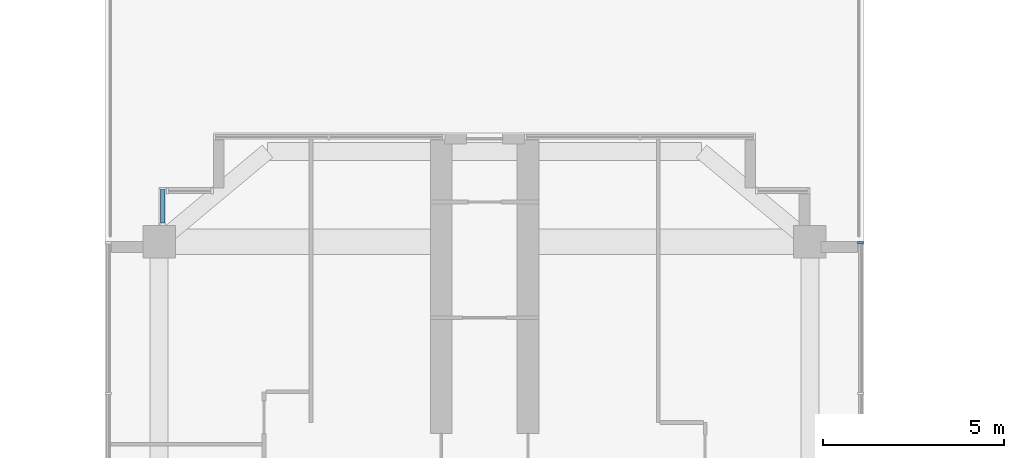
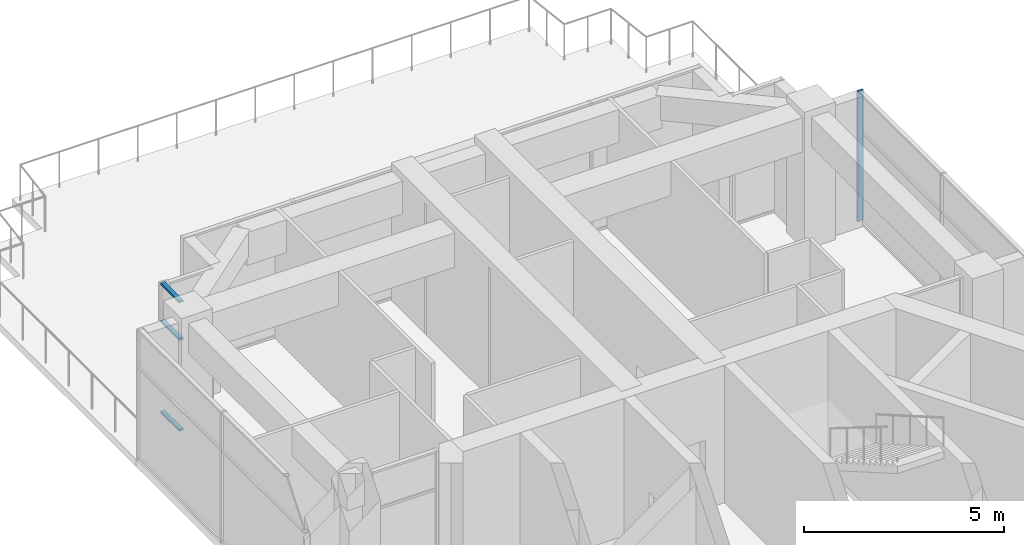
# One storey, part 7 of 15: 4 members, 2 elements without a shape of their own.
"""IFC4 building model written with IfcOpenShell, lengths in metres."""

import ifcopenshell
import ifcopenshell.guid

model = None  # the IFC model being written
_history = None  # IfcOwnerHistory: only IFC2X3 demands one
_inside = {}  # id of a spatial element -> (the spatial element, [elements in it])
_under = {}  # id of a project, library or spatial element -> (it, [spatial elements below it])
_declared = {}  # id of a project -> (the project, [libraries it declares])
_typed = {}  # id of a type object -> (the type object, [elements of that type])
_made_of = {}  # id of a material, layer set ... -> (it, [elements and type objects made of it])


def new_model(schema):
    """Start an empty IFC model of exactly this schema.

    Asked for "IFC4X3", IfcOpenShell would pick the latest addendum, in which some entities
    have other attributes; the version numbers below select the first issue.
    IFC2X3 requires an IfcOwnerHistory on every rooted entity: one is made here for all.
    """
    global model, _history
    if schema == "IFC4X3":
        model = ifcopenshell.file(schema_version=(4, 3, 0, 0))
    else:
        model = ifcopenshell.file(schema=schema)
    _inside.clear()
    _under.clear()
    _declared.clear()
    _typed.clear()
    _made_of.clear()
    _history = None
    if model.schema == "IFC2X3":
        org = make("IfcOrganization", Name="unknown")
        user = make(
            "IfcPersonAndOrganization",
            ThePerson=make("IfcPerson", FamilyName="unknown"),
            TheOrganization=org,
        )
        app = make(
            "IfcApplication",
            ApplicationDeveloper=org,
            Version="unknown",
            ApplicationFullName="unknown",
            ApplicationIdentifier="unknown",
        )
        _history = make(
            "IfcOwnerHistory",
            OwningUser=user,
            OwningApplication=app,
            ChangeAction="ADDED",
            CreationDate=0,
        )
    return model


def make(cls, **values):
    """One entity of the class cls with the attributes given. An attribute that is None is left unset."""
    return model.create_entity(
        cls, **{name: value for name, value in values.items() if value is not None}
    )


def rooted(cls, **values):
    """An entity with a GlobalId (a new one), such as an element, a storey or a relation."""
    return make(cls, GlobalId=ifcopenshell.guid.new(), OwnerHistory=_history, **values)


def si_unit(unit_type, name, prefix=None):
    """IfcSIUnit, for example si_unit("LENGTHUNIT", "METRE", prefix="MILLI")."""
    return make("IfcSIUnit", UnitType=unit_type, Prefix=prefix, Name=name)


def assignment(units):
    """IfcUnitAssignment: the units of a project."""
    return None if units is None else make("IfcUnitAssignment", Units=units)


def point(xyz):
    """IfcCartesianPoint."""
    return None if xyz is None else make("IfcCartesianPoint", Coordinates=xyz)


def direction(xyz):
    """IfcDirection."""
    return None if xyz is None else make("IfcDirection", DirectionRatios=xyz)


def frame(location, z_axis=None, x_axis=None):
    """IfcAxis2Placement3D, a coordinate frame: its origin and axes. An axis left out is left unset."""
    return make(
        "IfcAxis2Placement3D",
        Location=point(location),
        Axis=direction(z_axis),
        RefDirection=direction(x_axis),
    )


def frame_2d(location, x_axis=None):
    """IfcAxis2Placement2D, a coordinate frame in the plane: its origin and x axis."""
    return make(
        "IfcAxis2Placement2D", Location=point(location), RefDirection=direction(x_axis)
    )


def origin():
    """The frame at (0, 0, 0) with its axes left unset."""
    return frame((0.0, 0.0, 0.0))


def origin_2d():
    """The frame at (0, 0) in the plane with its x axis left unset."""
    return frame_2d((0.0, 0.0))


def place(relative_to, where):
    """IfcLocalPlacement: puts the frame where relative to a parent placement (None: the world)."""
    return make(
        "IfcLocalPlacement", PlacementRelTo=relative_to, RelativePlacement=where
    )


def context(
    kind, dimensions, precision=None, world=None, true_north=None, identifier=None
):
    """IfcGeometricRepresentationContext, for example the 3D "Model" context."""
    return make(
        "IfcGeometricRepresentationContext",
        ContextIdentifier=identifier,
        ContextType=kind,
        CoordinateSpaceDimension=dimensions,
        Precision=precision,
        WorldCoordinateSystem=world,
        TrueNorth=true_north,
    )


def subcontext(parent, identifier, kind, view, scale=None):
    """IfcGeometricRepresentationSubContext, for example "Body" below "Model"."""
    return make(
        "IfcGeometricRepresentationSubContext",
        ContextIdentifier=identifier,
        ContextType=kind,
        ParentContext=parent,
        TargetScale=scale,
        TargetView=view,
    )


def project(units=None, contexts=None):
    """IfcProject with its units and contexts."""
    return rooted(
        "IfcProject",
        Name="project",
        RepresentationContexts=contexts,
        UnitsInContext=assignment(units),
    )


def spatial(cls, under=None, at=None, **own):
    """A site, building, storey or space (cls), placed at a placement, below another one or the project."""
    s = rooted(cls, ObjectPlacement=at, **own)
    if under is not None:
        _under.setdefault(under.id(), (under, []))[1].append(s)
    return s


def profile(cls, at=None, kind="AREA", **sizes):
    """A parametric profile (cls). Its sizes go by their IFC names, for example OverallWidth=200.0."""
    return make(cls, ProfileType=kind, Position=at, **sizes)


def rectangle(**sizes):
    """IfcRectangleProfileDef."""
    return profile("IfcRectangleProfileDef", **sizes)


def extrude(swept, where, along, depth):
    """IfcExtrudedAreaSolid: the profile swept, set in the frame where, extruded along a direction by depth."""
    return make(
        "IfcExtrudedAreaSolid",
        SweptArea=swept,
        Position=where,
        ExtrudedDirection=direction(along),
        Depth=depth,
    )


def shape(context_of_items, identifier, shape_type, items):
    """IfcShapeRepresentation: the items that make up one representation, for example the "Body"."""
    return make(
        "IfcShapeRepresentation",
        ContextOfItems=context_of_items,
        RepresentationIdentifier=identifier,
        RepresentationType=shape_type,
        Items=items,
    )


def material(Name=None, Category=None):
    """IfcMaterial."""
    return make("IfcMaterial", Name=Name, Category=Category)


def material_profile(
    of_material, cross_section, Name=None, Category=None, Priority=None
):
    """IfcMaterialProfile: a cross section and its material."""
    return make(
        "IfcMaterialProfile",
        Name=Name,
        Material=of_material,
        Profile=cross_section,
        Priority=Priority,
        Category=Category,
    )


def profile_set(profiles, Name=None, composite=None):
    """IfcMaterialProfileSet."""
    return make(
        "IfcMaterialProfileSet",
        Name=Name,
        MaterialProfiles=profiles,
        CompositeProfile=composite,
    )


def made_of(thing, what):
    """Note that an element or type object is made of a material, layer set ...; save() writes the relation."""
    if what is not None:
        _made_of.setdefault(what.id(), (what, []))[1].append(thing)
    return thing


def type_object(cls, material=None, **own):
    """A type object (cls), such as IfcWallType, which elements share."""
    return made_of(rooted(cls, **own), material)


def element(
    cls,
    number,
    at=None,
    inside=None,
    cuts=None,
    type_object=None,
    material=None,
    context=None,
    identifier="Body",
    shape_type=None,
    held_by="IfcProductDefinitionShape",
    body=None,
    shapes=None,
    **own,
):
    """One element of the class cls, such as IfcWall. Its Tag is "e" and its number.

    at: its placement. inside: the storey or other place that contains it. cuts: it is an
    opening in that element (IfcRelVoidsElement). A single representation is given by context,
    identifier, shape_type and body (its items); several are given by shapes. held_by: the class
    of the entity that holds the representations. save() writes the other relations.
    """
    e = rooted(cls, Tag="e%d" % number, ObjectPlacement=at, **own)
    if body is not None:
        shapes = [shape(context, identifier, shape_type, body)]
    if shapes is not None:
        e.Representation = make(held_by, Representations=shapes)
    if inside is not None:
        _inside.setdefault(inside.id(), (inside, []))[1].append(e)
    if cuts is not None:
        rooted(
            "IfcRelVoidsElement", RelatingBuildingElement=cuts, RelatedOpeningElement=e
        )
    if type_object is not None:
        _typed.setdefault(type_object.id(), (type_object, []))[1].append(e)
    return made_of(e, material)


def aggregate(whole, parts):
    """IfcRelAggregates: a whole, such as a stair, and the parts it consists of."""
    return rooted("IfcRelAggregates", RelatingObject=whole, RelatedObjects=parts)


def save(model, path):
    """Write the relations noted so far, then the file.

    IfcRelAggregates (storeys below a building ...), IfcRelContainedInSpatialStructure (elements
    in a storey), IfcRelDefinesByType, IfcRelAssociatesMaterial and IfcRelDeclares: one each for
    every whole, place, type object, material and project.
    """
    for whole, parts in _under.values():
        aggregate(whole, parts)
    for where, things in _inside.values():
        rooted(
            "IfcRelContainedInSpatialStructure",
            RelatedElements=things,
            RelatingStructure=where,
        )
    for kind, things in _typed.values():
        rooted("IfcRelDefinesByType", RelatedObjects=things, RelatingType=kind)
    for what, things in _made_of.values():
        rooted("IfcRelAssociatesMaterial", RelatedObjects=things, RelatingMaterial=what)
    for by, libraries in _declared.values():
        rooted("IfcRelDeclares", RelatingContext=by, RelatedDefinitions=libraries)
    model.write(path)


model = new_model("IFC4")

# Units and contexts
model_context = context("Model", 3, precision=1e-05, world=origin(), true_north=direction((0.0, 1.0)))
body_context = subcontext(model_context, "Body", "Model", "MODEL_VIEW")
ifc_project = project(units=[si_unit("LENGTHUNIT", "METRE"), si_unit("AREAUNIT", "SQUARE_METRE"), si_unit("VOLUMEUNIT", "CUBIC_METRE"), si_unit("PLANEANGLEUNIT", "RADIAN"), si_unit("MASSUNIT", "GRAM", prefix="KILO")], contexts=[model_context])

# Site, building, storey
site_placement = place(None, origin())
site = spatial("IfcSite", under=ifc_project, at=site_placement, CompositionType="ELEMENT")
building_placement = place(site_placement, origin())
building = spatial("IfcBuilding", under=site, at=building_placement, Name="Impinga Residences", CompositionType="ELEMENT")
storey_placement = place(building_placement, frame((0.0, 0.0, 274.75)))
storey = spatial("IfcBuildingStorey", under=building, at=storey_placement, Name="L69", CompositionType="ELEMENT", Elevation=274.75)

# Curtain wall, member
ifc_material_1 = material(Name="Aluminium stick curtain wall", Category="aluminium")
curtain_wall_type = type_object("IfcCurtainWallType", Name="CW3 penthouse curtain wall", PredefinedType="USERDEFINED", material=ifc_material_1)
curtain_wall_1_placement = place(storey_placement, origin())
curtain_wall_1 = element("IfcCurtainWall", 1, at=curtain_wall_1_placement, inside=storey, type_object=curtain_wall_type, Name="Curtain wall CW3 L69", ObjectType="STICK CURTAIN WALL", PredefinedType="USERDEFINED")
ifc_material_2 = material(Name="Aluminium mullion", Category="aluminium")
ifc_material_profile_1 = material_profile(ifc_material_2, rectangle(XDim=0.06005859375, YDim=0.159912109375, at=origin_2d()), Name="60x160 mullion")
ifc_profile_set_1 = profile_set([ifc_material_profile_1], Name="Aluminium mullion")
member_type_1 = type_object("IfcMemberType", Name="CW3-M mullion 60x160", PredefinedType="MULLION", material=ifc_profile_set_1)
member_1_placement = place(storey_placement, frame((10.39990234375, 19.801513671875, 0.0), z_axis=(0.0, 0.0, 1.0), x_axis=(0.0, -1.0, 0.0)))
member_1 = element("IfcMember", 2, at=member_1_placement, type_object=member_type_1, Name="CW3 mullion 1", PredefinedType="MULLION", context=body_context, shape_type="SweptSolid", body=[
    extrude(rectangle(XDim=0.06005859375, YDim=0.159912109375, at=origin_2d()), origin(), (0.0, 0.0, 1.0), 3.97998046875),
])
aggregate(curtain_wall_1, [member_1])

# Curtain wall, members
curtain_wall_2_placement = place(storey_placement, origin())
curtain_wall_2 = element("IfcCurtainWall", 3, at=curtain_wall_2_placement, inside=storey, type_object=curtain_wall_type, Name="Curtain wall CW3 L69", ObjectType="STICK CURTAIN WALL", PredefinedType="USERDEFINED")
ifc_material_3 = material(Name="Aluminium transom", Category="aluminium")
ifc_material_profile_2 = material_profile(ifc_material_3, rectangle(XDim=0.06005859375, YDim=0.1201171875, at=origin_2d()), Name="60x120 transom")
ifc_profile_set_2 = profile_set([ifc_material_profile_2], Name="Aluminium transom")
member_type_2 = type_object("IfcMemberType", Name="CW3-T transom 60x120", PredefinedType="USERDEFINED", material=ifc_profile_set_2)
member_2_placement = place(storey_placement, frame((-8.89990234375, 20.344482421875, 0.030029296875), z_axis=(0.0, 1.0, 0.0), x_axis=(0.0, 0.0, 1.0)))
member_2 = element("IfcMember", 4, at=member_2_placement, type_object=member_type_2, Name="CW3 transom 1.1", ObjectType="TRANSOM", PredefinedType="USERDEFINED", context=body_context, shape_type="SweptSolid", body=[
    extrude(rectangle(XDim=0.06005859375, YDim=0.1201171875, at=origin_2d()), origin(), (0.0, 0.0, 1.0), 0.927001953125),
])
member_3_placement = place(storey_placement, frame((-8.89990234375, 20.344482421875, 2.800048828125), z_axis=(0.0, 1.0, 0.0), x_axis=(0.0, 0.0, 1.0)))
member_3 = element("IfcMember", 5, at=member_3_placement, type_object=member_type_2, Name="CW3 transom 1.2", ObjectType="TRANSOM", PredefinedType="USERDEFINED", context=body_context, shape_type="SweptSolid", body=[
    extrude(rectangle(XDim=0.06005859375, YDim=0.1201171875, at=origin_2d()), origin(), (0.0, 0.0, 1.0), 0.927001953125),
])
member_4_placement = place(storey_placement, frame((-8.89990234375, 20.344482421875, 3.949951171875), z_axis=(0.0, 1.0, 0.0), x_axis=(0.0, 0.0, 1.0)))
member_4 = element("IfcMember", 6, at=member_4_placement, type_object=member_type_2, Name="CW3 transom 1.3", ObjectType="TRANSOM", PredefinedType="USERDEFINED", context=body_context, shape_type="SweptSolid", body=[
    extrude(rectangle(XDim=0.06005859375, YDim=0.1201171875, at=origin_2d()), origin(), (0.0, 0.0, 1.0), 0.927001953125),
])
aggregate(curtain_wall_2, [member_2, member_3, member_4])

save(model, "model.ifc")
